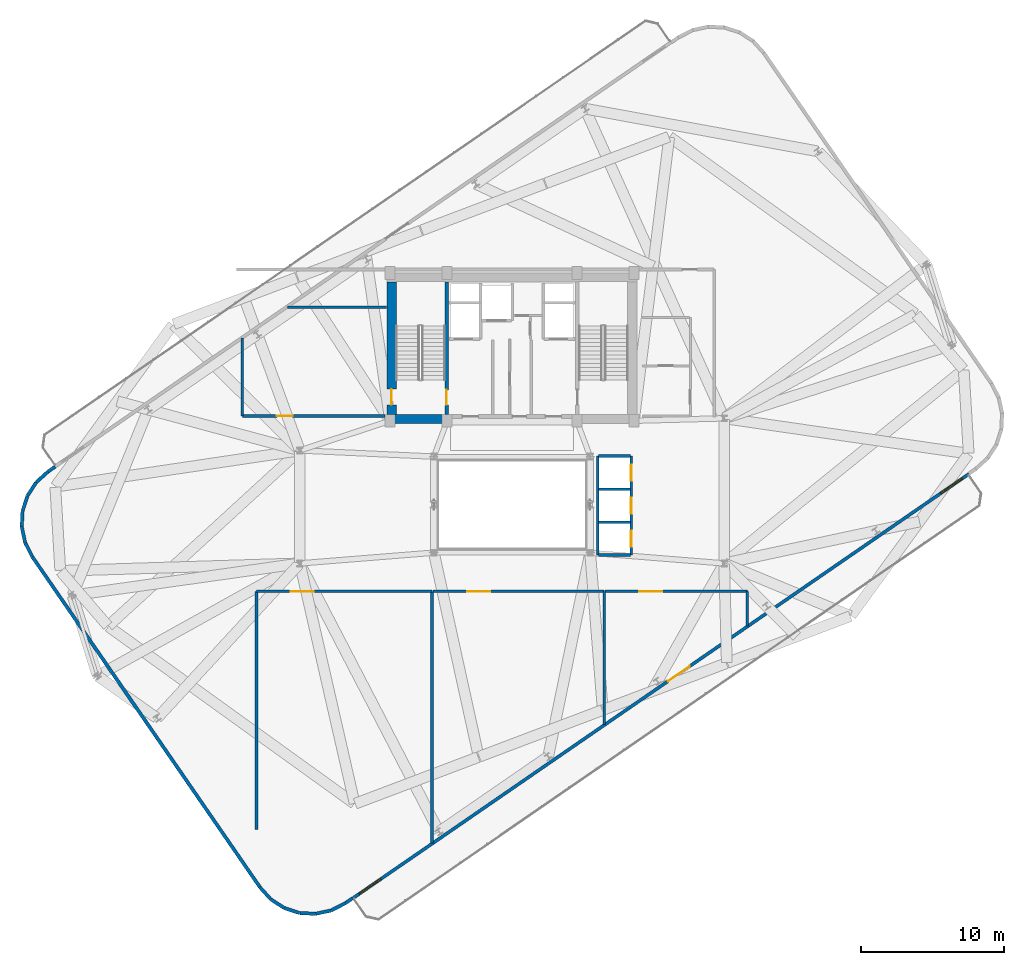
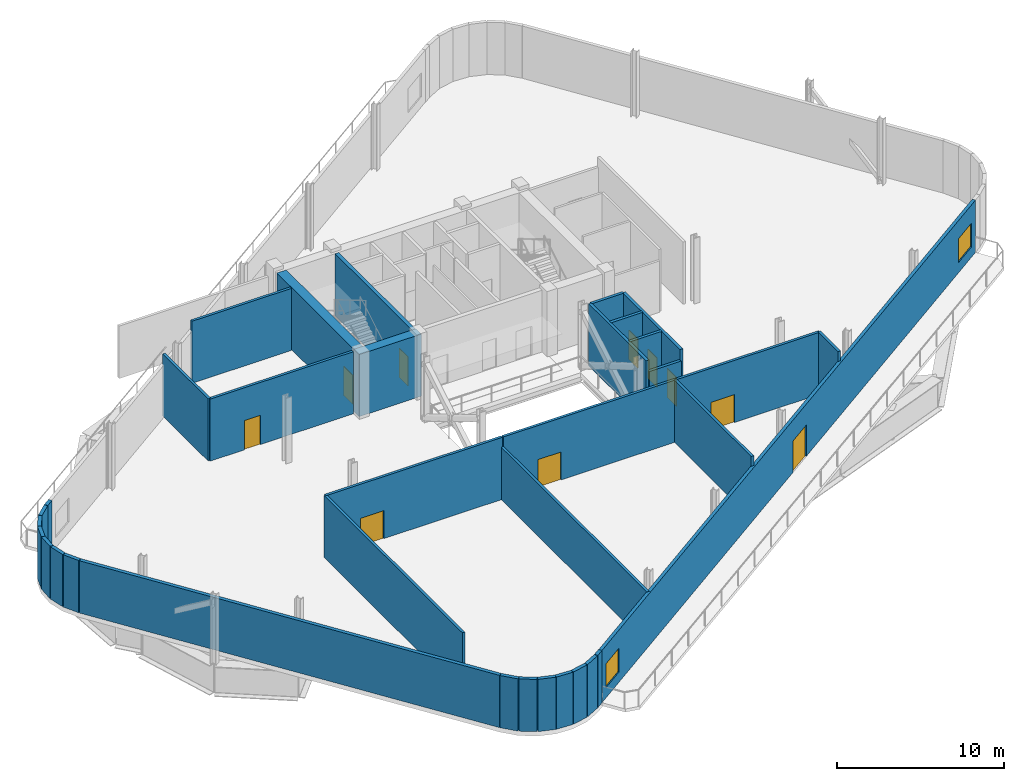
# One storey, part 7 of 13: 35 walls, 10 doors, 2 windows, 12 openings.
"""IFC4 building model written with IfcOpenShell, lengths in metres."""

from ifc_helpers import new_model, si_unit, direction, frame, frame_2d, origin, place, context, subcontext, project, spatial, rectangle, extrude, material, layer, layer_set, type_object, element, fill, save


model = new_model("IFC4")

# Units and contexts
model_context = context("Model", 3, precision=1e-05, world=origin(), true_north=direction((0.0, 1.0)))
body_context = subcontext(model_context, "Body", "Model", "MODEL_VIEW")
ifc_project = project(units=[si_unit("LENGTHUNIT", "METRE"), si_unit("AREAUNIT", "SQUARE_METRE"), si_unit("VOLUMEUNIT", "CUBIC_METRE"), si_unit("PLANEANGLEUNIT", "RADIAN"), si_unit("MASSUNIT", "GRAM", prefix="KILO")], contexts=[model_context])

# Site, building, storey
site_placement = place(None, origin())
site = spatial("IfcSite", under=ifc_project, at=site_placement, CompositionType="ELEMENT")
building_placement = place(site_placement, origin())
building = spatial("IfcBuilding", under=site, at=building_placement, Name="Varnelok Gate Tower", CompositionType="ELEMENT")
storey_placement = place(building_placement, frame((0.0, 0.0, 253.39990234375)))
storey = spatial("IfcBuildingStorey", under=building, at=storey_placement, Name="L65", CompositionType="ELEMENT", Elevation=253.39990234375)

# Wall, openings, door, windows
ifc_material_1 = material(Name="Concrete C45/55", Category="concrete")
ifc_layer_1 = layer(ifc_material_1, 0.219970703125)
ifc_layer_set_1 = layer_set([ifc_layer_1], Name="Concrete C45/55")
wall_type_1 = type_object("IfcWallType", Name="EW-BALC-220", PredefinedType="SOLIDWALL", material=ifc_layer_set_1)
wall_1_placement = place(storey_placement, frame((71.069580078125, 25.043212890625, 0.0), z_axis=(0.0, 0.0, 1.0), x_axis=(-0.82353435434, -0.567266398812, 0.0)))
wall_1 = element("IfcWall", 1, at=wall_1_placement, inside=storey, type_object=wall_type_1, Name="L65 South Terrace Envelope Wall 1", PredefinedType="SOLIDWALL", context=body_context, shape_type="SweptSolid", body=[
    extrude(rectangle(XDim=52.199951171875, YDim=0.219970703125, at=frame_2d((26.10009765625, 0.0))), origin(), (0.0, 0.0, 1.0), 3.830078125),
])
opening_1_placement = place(wall_1_placement, frame((23.640380859375, 0.0, 0.0)))
opening_1 = element("IfcOpeningElement", 2, at=opening_1_placement, cuts=wall_1, Name="Opening SGD-1", PredefinedType="OPENING", context=body_context, shape_type="SweptSolid", body=[
    extrude(rectangle(XDim=1.85009765625, YDim=2.300048828125, at=frame_2d((0.925048828125, 1.14990234375))), frame((0.0, 0.119873046875, 0.0), z_axis=(0.0, -1.0, 0.0), x_axis=(1.0, 0.0, 0.0)), (0.0, 0.0, 1.0), 0.239990234375),
])
opening_2_placement = place(wall_1_placement, frame((0.550048828125, 0.0, 0.75)))
opening_2 = element("IfcOpeningElement", 3, at=opening_2_placement, cuts=wall_1, Name="Opening WN5", PredefinedType="OPENING", context=body_context, shape_type="SweptSolid", body=[
    extrude(rectangle(XDim=1.85009765625, YDim=1.75, at=frame_2d((0.925048828125, 0.875))), frame((0.0, 0.119873046875, 0.0), z_axis=(0.0, -1.0, 0.0), x_axis=(1.0, 0.0, 0.0)), (0.0, 0.0, 1.0), 0.239990234375),
])
opening_3_placement = place(wall_1_placement, frame((49.800048828125, 0.0, 0.75)))
opening_3 = element("IfcOpeningElement", 4, at=opening_3_placement, cuts=wall_1, Name="Opening WN5", PredefinedType="OPENING", context=body_context, shape_type="SweptSolid", body=[
    extrude(rectangle(XDim=1.85009765625, YDim=1.75, at=frame_2d((0.925048828125, 0.875))), frame((0.0, 0.119873046875, 0.0), z_axis=(0.0, -1.0, 0.0), x_axis=(1.0, 0.0, 0.0)), (0.0, 0.0, 1.0), 0.239990234375),
])
ifc_material_2 = material(Name="Anodized Aluminum Alloy 6063-T6", Category="aluminium")
door_type_1 = type_object("IfcDoorType", Name="DR-EXT-SKYG1850", OperationType="DOUBLE_DOOR_SINGLE_SWING", PredefinedType="DOOR", material=ifc_material_2)
door_1_placement = place(opening_1_placement, origin())
door_1 = element("IfcDoor", 5, at=door_1_placement, inside=storey, type_object=door_type_1, Name="L65 South Sky Garden Glazed Door 1", OperationType="DOUBLE_DOOR_SINGLE_SWING", OverallHeight=2.300048828125, OverallWidth=1.85009765625, PredefinedType="DOOR", context=body_context, shape_type="SweptSolid", body=[
    extrude(rectangle(XDim=1.85009765625, YDim=2.300048828125, at=frame_2d((0.925048828125, 1.14990234375))), frame((0.0, 0.02490234375, 0.0), z_axis=(0.0, -1.0, 0.0), x_axis=(1.0, 0.0, 0.0)), (0.0, 0.0, 1.0), 0.050048828125),
])
fill(opening_1, door_1)
ifc_material_3 = material(Name="Low-E Laminated Double Glazing IGU", Category="glass")
window_type = type_object("IfcWindowType", Name="WN-RES-1850", PartitioningType="SINGLE_PANEL", PredefinedType="WINDOW", material=ifc_material_3)
window_1_placement = place(opening_2_placement, origin())
window_1 = element("IfcWindow", 6, at=window_1_placement, inside=storey, type_object=window_type, Name="L65 South Vision Window 1.1", OverallHeight=1.75, OverallWidth=1.85009765625, PartitioningType="SINGLE_PANEL", PredefinedType="WINDOW", context=body_context, shape_type="SweptSolid", body=[
    extrude(rectangle(XDim=1.85009765625, YDim=1.75, at=frame_2d((0.925048828125, 0.875))), frame((0.0, 0.030029296875, 0.0), z_axis=(0.0, -1.0, 0.0), x_axis=(1.0, 0.0, 0.0)), (0.0, 0.0, 1.0), 0.06005859375),
])
fill(opening_2, window_1)
window_2_placement = place(opening_3_placement, origin())
window_2 = element("IfcWindow", 7, at=window_2_placement, inside=storey, type_object=window_type, Name="L65 South Vision Window 1.2", OverallHeight=1.75, OverallWidth=1.85009765625, PartitioningType="SINGLE_PANEL", PredefinedType="WINDOW", context=body_context, shape_type="SweptSolid", body=[
    extrude(rectangle(XDim=1.85009765625, YDim=1.75, at=frame_2d((0.925048828125, 0.875))), frame((0.0, 0.030029296875, 0.0), z_axis=(0.0, -1.0, 0.0), x_axis=(1.0, 0.0, 0.0)), (0.0, 0.0, 1.0), 0.06005859375),
])
fill(opening_3, window_2)

# Walls
ifc_layer_2 = layer(ifc_material_1, 0.239990234375)
ifc_layer_set_2 = layer_set([ifc_layer_2], Name="Concrete C45/55")
wall_type_2 = type_object("IfcWallType", Name="EW-PLANT-240", PredefinedType="SOLIDWALL", material=ifc_layer_set_2)
wall_2_placement = place(storey_placement, frame((21.624267578125, -3.796875, 0.0), z_axis=(0.0, 0.0, 1.0), x_axis=(0.669935347252, -0.74241944378, 0.0)))
element("IfcWall", 8, at=wall_2_placement, inside=storey, type_object=wall_type_2, Name="L65 Perimeter Facade Closure Wall 1", PredefinedType="SOLIDWALL", context=body_context, shape_type="SweptSolid", body=[
    extrude(rectangle(XDim=1.125, YDim=0.239990234375, at=frame_2d((0.5625, 0.0))), origin(), (0.0, 0.0, 1.0), 3.830078125),
])
for number, where, z_axis, x_axis, name in (
    (9, (22.39892578125, -4.645751953125, 0.0), (0.0, 0.0, 1.0), (0.839270122405, -0.543714687717, 0.0), "L65 Perimeter Facade Closure Wall 2"),
    (10, (23.339111328125, -5.247314453125, 0.0), (0.0, 0.0, 1.0), (0.951353957903, -0.308100059692, 0.0), "L65 Perimeter Facade Closure Wall 3"),
    (11, (24.403076171875, -5.5849609375, 0.0), (0.0, 0.0, 1.0), (0.99868854295, -0.051197599359, 0.0), "L65 Perimeter Facade Closure Wall 4"),
):
    element("IfcWall", number, at=place(storey_placement, frame(where, z_axis=z_axis, x_axis=x_axis)), inside=storey, type_object=wall_type_2, Name=name, PredefinedType="SOLIDWALL", context=body_context, shape_type="SweptSolid", body=[
        extrude(rectangle(XDim=1.092041015625, YDim=0.239990234375, at=frame_2d((0.5458984375, 0.0))), origin(), (0.0, 0.0, 1.0), 3.830078125),
    ])
wall_3_placement = place(storey_placement, frame((25.51806640625, -5.6357421875, 0.0), z_axis=(0.0, 0.0, 1.0), x_axis=(0.977916755927, 0.208994780981, 0.0)))
element("IfcWall", 12, at=wall_3_placement, inside=storey, type_object=wall_type_2, Name="L65 Perimeter Facade Closure Wall 5", PredefinedType="SOLIDWALL", context=body_context, shape_type="SweptSolid", body=[
    extrude(rectangle(XDim=1.09228515625, YDim=0.239990234375, at=frame_2d((0.546142578125, 0.0))), origin(), (0.0, 0.0, 1.0), 3.830078125),
])
wall_4_placement = place(storey_placement, frame((26.6083984375, -5.396240234375, 0.0), z_axis=(0.0, 0.0, 1.0), x_axis=(0.89048664568, 0.455009377778, 0.0)))
element("IfcWall", 13, at=wall_4_placement, inside=storey, type_object=wall_type_2, Name="L65 Perimeter Facade Closure Wall 6", PredefinedType="SOLIDWALL", context=body_context, shape_type="SweptSolid", body=[
    extrude(rectangle(XDim=1.099853515625, YDim=0.239990234375, at=frame_2d((0.5498046875, 0.0))), origin(), (0.0, 0.0, 1.0), 3.830078125),
])
wall_5_placement = place(storey_placement, frame((27.6083984375, -4.881591796875, 0.0), z_axis=(0.0, 0.0, 1.0), x_axis=(0.823476316925, 0.567350645953, 0.0)))
element("IfcWall", 14, at=wall_5_placement, inside=storey, type_object=wall_type_2, Name="L65 Perimeter Facade Closure Wall 7", PredefinedType="SOLIDWALL", context=body_context, shape_type="SweptSolid", body=[
    extrude(rectangle(XDim=0.567138671875, YDim=0.239990234375, at=frame_2d((0.28369140625, 0.0))), origin(), (0.0, 0.0, 1.0), 3.830078125),
])
wall_6_placement = place(storey_placement, frame((7.336181640625, 25.548583984375, 0.0), z_axis=(0.0, 0.0, 1.0), x_axis=(-0.823392066686, -0.567472910824, 0.0)))
element("IfcWall", 15, at=wall_6_placement, inside=storey, type_object=wall_type_2, Name="L65 Perimeter Facade Closure Wall 23", PredefinedType="SOLIDWALL", context=body_context, shape_type="SweptSolid", body=[
    extrude(rectangle(XDim=0.592529296875, YDim=0.239990234375, at=frame_2d((0.29638671875, 0.0))), origin(), (0.0, 0.0, 1.0), 3.830078125),
])
wall_7_placement = place(storey_placement, frame((6.829833984375, 25.19580078125, 0.0), z_axis=(0.0, 0.0, 1.0), x_axis=(-0.742465815116, -0.669883955163, 0.0)))
element("IfcWall", 16, at=wall_7_placement, inside=storey, type_object=wall_type_2, Name="L65 Perimeter Facade Closure Wall 24", PredefinedType="SOLIDWALL", context=body_context, shape_type="SweptSolid", body=[
    extrude(rectangle(XDim=1.099853515625, YDim=0.239990234375, at=frame_2d((0.5498046875, 0.0))), origin(), (0.0, 0.0, 1.0), 3.830078125),
])
wall_8_placement = place(storey_placement, frame((5.99951171875, 24.43798828125, 0.0), z_axis=(0.0, 0.0, 1.0), x_axis=(-0.543557184218, -0.839372138854, 0.0)))
element("IfcWall", 17, at=wall_8_placement, inside=storey, type_object=wall_type_2, Name="L65 Perimeter Facade Closure Wall 25", PredefinedType="SOLIDWALL", context=body_context, shape_type="SweptSolid", body=[
    extrude(rectangle(XDim=1.091796875, YDim=0.239990234375, at=frame_2d((0.5458984375, 0.0))), origin(), (0.0, 0.0, 1.0), 3.830078125),
])
wall_9_placement = place(storey_placement, frame((5.398193359375, 23.497802734375, 0.0), z_axis=(0.0, 0.0, 1.0), x_axis=(-0.30803453742, -0.951375175079, 0.0)))
element("IfcWall", 18, at=wall_9_placement, inside=storey, type_object=wall_type_2, Name="L65 Perimeter Facade Closure Wall 26", PredefinedType="SOLIDWALL", context=body_context, shape_type="SweptSolid", body=[
    extrude(rectangle(XDim=1.09228515625, YDim=0.239990234375, at=frame_2d((0.546142578125, 0.0))), origin(), (0.0, 0.0, 1.0), 3.830078125),
])
wall_10_placement = place(storey_placement, frame((5.060546875, 22.433837890625, 0.0), z_axis=(0.0, 0.0, 1.0), x_axis=(-0.051197599359, -0.99868854295, 0.0)))
element("IfcWall", 19, at=wall_10_placement, inside=storey, type_object=wall_type_2, Name="L65 Perimeter Facade Closure Wall 27", PredefinedType="SOLIDWALL", context=body_context, shape_type="SweptSolid", body=[
    extrude(rectangle(XDim=1.092041015625, YDim=0.239990234375, at=frame_2d((0.5458984375, 0.0))), origin(), (0.0, 0.0, 1.0), 3.830078125),
])
wall_11_placement = place(storey_placement, frame((5.009765625, 21.31884765625, 0.0), z_axis=(0.0, 0.0, 1.0), x_axis=(0.208781005433, -0.977962418383, 0.0)))
element("IfcWall", 20, at=wall_11_placement, inside=storey, type_object=wall_type_2, Name="L65 Perimeter Facade Closure Wall 28", PredefinedType="SOLIDWALL", context=body_context, shape_type="SweptSolid", body=[
    extrude(rectangle(XDim=1.09228515625, YDim=0.239990234375, at=frame_2d((0.546142578125, 0.0))), origin(), (0.0, 0.0, 1.0), 3.830078125),
])
wall_12_placement = place(storey_placement, frame((5.249267578125, 20.228515625, 0.0), z_axis=(0.0, 0.0, 1.0), x_axis=(0.455009377778, -0.89048664568, 0.0)))
element("IfcWall", 21, at=wall_12_placement, inside=storey, type_object=wall_type_2, Name="L65 Perimeter Facade Closure Wall 29", PredefinedType="SOLIDWALL", context=body_context, shape_type="SweptSolid", body=[
    extrude(rectangle(XDim=1.099853515625, YDim=0.239990234375, at=frame_2d((0.5498046875, 0.0))), origin(), (0.0, 0.0, 1.0), 3.830078125),
])
wall_13_placement = place(storey_placement, frame((5.763916015625, 19.228515625, 0.0), z_axis=(0.0, 0.0, 1.0), x_axis=(0.567265985498, -0.823534639039, 0.0)))
element("IfcWall", 22, at=wall_13_placement, inside=storey, type_object=wall_type_2, Name="L65 Perimeter Facade Closure Wall 30", PredefinedType="SOLIDWALL", context=body_context, shape_type="SweptSolid", body=[
    extrude(rectangle(XDim=27.934326171875, YDim=0.239990234375, at=frame_2d((13.96728515625, 0.0))), origin(), (0.0, 0.0, 1.0), 3.830078125),
])

# Wall, opening, door
ifc_material_4 = material(Name="Gypsum Plasterboard Acoustic Partition", Category="gypsum")
ifc_layer_3 = layer(ifc_material_4, 0.179931640625)
ifc_layer_set_3 = layer_set([ifc_layer_3], Name="Gypsum Plasterboard Acoustic Partition")
wall_type_3 = type_object("IfcWallType", Name="PW-CORR-180", PredefinedType="PARTITIONING", material=ifc_layer_set_3)
wall_14_placement = place(storey_placement, frame((20.39990234375, 29.080078125, 0.0), z_axis=(0.0, 0.0, 1.0), x_axis=(1.0, 0.0, 0.0)))
wall_14 = element("IfcWall", 23, at=wall_14_placement, inside=storey, type_object=wall_type_3, Name="Interior Partition", PredefinedType="PARTITIONING", context=body_context, shape_type="SweptSolid", body=[
    extrude(rectangle(XDim=9.9501953125, YDim=0.179931640625, at=frame_2d((4.97509765625, 0.0))), origin(), (0.0, 0.0, 1.0), 4.550048828125),
])
opening_4_placement = place(wall_14_placement, frame((2.39990234375, 0.0, 0.0)))
opening_4 = element("IfcOpeningElement", 24, at=opening_4_placement, cuts=wall_14, Name="Opening D-FF", PredefinedType="OPENING", context=body_context, shape_type="SweptSolid", body=[
    extrude(rectangle(XDim=1.10009765625, YDim=2.14990234375, at=frame_2d((0.550048828125, 1.074951171875))), frame((0.0, 0.099853515625, 0.0), z_axis=(0.0, -1.0, 0.0), x_axis=(1.0, 0.0, 0.0)), (0.0, 0.0, 1.0), 0.199951171875),
])
ifc_material_5 = material(Name="Galvanized Steel Grade S350GD", Category="steel")
door_type_2 = type_object("IfcDoorType", Name="DR-FFLOB-1100", OperationType="NOTDEFINED", PredefinedType="DOOR", material=ifc_material_5)
door_2_placement = place(opening_4_placement, origin())
door_2 = element("IfcDoor", 25, at=door_2_placement, inside=storey, type_object=door_type_2, Name="L65 Area of Refuge Lobby Fire Door", OperationType="SINGLE_SWING_LEFT", OverallHeight=2.14990234375, OverallWidth=1.10009765625, PredefinedType="DOOR", context=body_context, shape_type="SweptSolid", body=[
    extrude(rectangle(XDim=1.10009765625, YDim=2.14990234375, at=frame_2d((0.550048828125, 1.074951171875))), frame((0.0, 0.02490234375, 0.0), z_axis=(0.0, -1.0, 0.0), x_axis=(1.0, 0.0, 0.0)), (0.0, 0.0, 1.0), 0.050048828125),
])
fill(opening_4, door_2)

# Walls
wall_15_placement = place(storey_placement, frame((20.39990234375, 29.080078125, 0.0), z_axis=(0.0, 0.0, 1.0), x_axis=(0.0, 1.0, 0.0)))
element("IfcWall", 26, at=wall_15_placement, inside=storey, type_object=wall_type_3, Name="Interior Partition", PredefinedType="PARTITIONING", context=body_context, shape_type="SweptSolid", body=[
    extrude(rectangle(XDim=5.44287109375, YDim=0.179931640625, at=frame_2d((2.721435546875, 0.0))), origin(), (0.0, 0.0, 1.0), 4.550048828125),
])
wall_16_placement = place(storey_placement, frame((23.531494140625, 36.679931640625, 0.0), z_axis=(0.0, 0.0, 1.0), x_axis=(1.0, 0.0, 0.0)))
element("IfcWall", 27, at=wall_16_placement, inside=storey, type_object=wall_type_3, Name="Interior Partition", PredefinedType="PARTITIONING", context=body_context, shape_type="SweptSolid", body=[
    extrude(rectangle(XDim=6.8984375, YDim=0.179931640625, at=frame_2d((3.44921875, 0.0))), origin(), (0.0, 0.0, 1.0), 4.550048828125),
])

# Wall, opening, door
wall_17_placement = place(storey_placement, frame((21.3798828125, 16.85009765625, 0.0), z_axis=(0.0, 0.0, 1.0), x_axis=(1.0, 0.0, 0.0)))
wall_17 = element("IfcWall", 28, at=wall_17_placement, inside=storey, type_object=wall_type_3, Name="Interior Partition", PredefinedType="PARTITIONING", context=body_context, shape_type="SweptSolid", body=[
    extrude(rectangle(XDim=12.240234375, YDim=0.179931640625, at=frame_2d((6.1201171875, 0.0))), origin(), (0.0, 0.0, 1.0), 4.550048828125),
])
opening_5_placement = place(wall_17_placement, frame((2.39990234375, 0.0, 0.0)))
opening_5 = element("IfcOpeningElement", 29, at=opening_5_placement, cuts=wall_17, Name="Opening D-PL", PredefinedType="OPENING", context=body_context, shape_type="SweptSolid", body=[
    extrude(rectangle(XDim=1.60009765625, YDim=2.050048828125, at=frame_2d((0.800048828125, 1.02490234375))), frame((0.0, 0.099853515625, 0.0), z_axis=(0.0, -1.0, 0.0), x_axis=(1.0, 0.0, 0.0)), (0.0, 0.0, 1.0), 0.199951171875),
])
door_type_3 = type_object("IfcDoorType", Name="DR-PLANT-1600", OperationType="DOUBLE_DOOR_SINGLE_SWING", PredefinedType="DOOR", material=ifc_material_5)
door_3_placement = place(opening_5_placement, origin())
door_3 = element("IfcDoor", 30, at=door_3_placement, inside=storey, type_object=door_type_3, Name="L65 Mechanical Plant Bay 1 Double Door", OperationType="DOUBLE_DOOR_SINGLE_SWING", OverallHeight=2.050048828125, OverallWidth=1.60009765625, PredefinedType="DOOR", context=body_context, shape_type="SweptSolid", body=[
    extrude(rectangle(XDim=1.60009765625, YDim=2.050048828125, at=frame_2d((0.800048828125, 1.02490234375))), frame((0.0, 0.02490234375, 0.0), z_axis=(0.0, -1.0, 0.0), x_axis=(1.0, 0.0, 0.0)), (0.0, 0.0, 1.0), 0.050048828125),
])
fill(opening_5, door_3)

# Walls
wall_18_placement = place(storey_placement, frame((33.6201171875, -0.712890625, 0.0), z_axis=(0.0, 0.0, 1.0), x_axis=(0.0, 1.0, 0.0)))
element("IfcWall", 31, at=wall_18_placement, inside=storey, type_object=wall_type_3, Name="Interior Partition", PredefinedType="PARTITIONING", context=body_context, shape_type="SweptSolid", body=[
    extrude(rectangle(XDim=17.56298828125, YDim=0.179931640625, at=frame_2d((8.781494140625, 0.0))), origin(), (0.0, 0.0, 1.0), 3.839111328125),
])
wall_19_placement = place(storey_placement, frame((21.3798828125, 0.25, 0.0), z_axis=(0.0, 0.0, 1.0), x_axis=(0.0, 1.0, 0.0)))
element("IfcWall", 32, at=wall_19_placement, inside=storey, type_object=wall_type_3, Name="Interior Partition", PredefinedType="PARTITIONING", context=body_context, shape_type="SweptSolid", body=[
    extrude(rectangle(XDim=16.60009765625, YDim=0.179931640625, at=frame_2d((8.300048828125, 0.0))), origin(), (0.0, 0.0, 1.0), 4.550048828125),
])

# Wall, opening, door
wall_20_placement = place(storey_placement, frame((33.679931640625, 16.85009765625, 0.0), z_axis=(0.0, 0.0, 1.0), x_axis=(1.0, 0.0, 0.0)))
wall_20 = element("IfcWall", 33, at=wall_20_placement, inside=storey, type_object=wall_type_3, Name="Interior Partition", PredefinedType="PARTITIONING", context=body_context, shape_type="SweptSolid", body=[
    extrude(rectangle(XDim=11.940185546875, YDim=0.179931640625, at=frame_2d((5.97021484375, 0.0))), origin(), (0.0, 0.0, 1.0), 4.550048828125),
])
opening_6_placement = place(wall_20_placement, frame((2.39990234375, 0.0, 0.0)))
opening_6 = element("IfcOpeningElement", 34, at=opening_6_placement, cuts=wall_20, Name="Opening D-PL", PredefinedType="OPENING", context=body_context, shape_type="SweptSolid", body=[
    extrude(rectangle(XDim=1.60009765625, YDim=2.050048828125, at=frame_2d((0.800048828125, 1.02490234375))), frame((0.0, 0.099853515625, 0.0), z_axis=(0.0, -1.0, 0.0), x_axis=(1.0, 0.0, 0.0)), (0.0, 0.0, 1.0), 0.199951171875),
])
door_4_placement = place(opening_6_placement, origin())
door_4 = element("IfcDoor", 35, at=door_4_placement, inside=storey, type_object=door_type_3, Name="L65 Mechanical Plant Bay 2 Double Door", OperationType="DOUBLE_DOOR_SINGLE_SWING", OverallHeight=2.050048828125, OverallWidth=1.60009765625, PredefinedType="DOOR", context=body_context, shape_type="SweptSolid", body=[
    extrude(rectangle(XDim=1.60009765625, YDim=2.050048828125, at=frame_2d((0.800048828125, 1.02490234375))), frame((0.0, 0.02490234375, 0.0), z_axis=(0.0, -1.0, 0.0), x_axis=(1.0, 0.0, 0.0)), (0.0, 0.0, 1.0), 0.050048828125),
])
fill(opening_6, door_4)

# Wall
wall_21_placement = place(storey_placement, frame((45.6201171875, 7.549560546875, 0.0), z_axis=(0.0, 0.0, 1.0), x_axis=(0.0, 1.0, 0.0)))
element("IfcWall", 36, at=wall_21_placement, inside=storey, type_object=wall_type_3, Name="Interior Partition", PredefinedType="PARTITIONING", context=body_context, shape_type="SweptSolid", body=[
    extrude(rectangle(XDim=9.300537109375, YDim=0.179931640625, at=frame_2d((4.650390625, 0.0))), origin(), (0.0, 0.0, 1.0), 4.550048828125),
])

# Wall, opening, door
wall_22_placement = place(storey_placement, frame((45.679931640625, 16.85009765625, 0.0), z_axis=(0.0, 0.0, 1.0), x_axis=(1.0, 0.0, 0.0)))
wall_22 = element("IfcWall", 37, at=wall_22_placement, inside=storey, type_object=wall_type_3, Name="Interior Partition", PredefinedType="PARTITIONING", context=body_context, shape_type="SweptSolid", body=[
    extrude(rectangle(XDim=9.940185546875, YDim=0.179931640625, at=frame_2d((4.97021484375, 0.0))), origin(), (0.0, 0.0, 1.0), 4.550048828125),
])
opening_7_placement = place(wall_22_placement, frame((2.39990234375, 0.0, 0.0)))
opening_7 = element("IfcOpeningElement", 38, at=opening_7_placement, cuts=wall_22, Name="Opening D-PL", PredefinedType="OPENING", context=body_context, shape_type="SweptSolid", body=[
    extrude(rectangle(XDim=1.60009765625, YDim=2.050048828125, at=frame_2d((0.800048828125, 1.02490234375))), frame((0.0, 0.099853515625, 0.0), z_axis=(0.0, -1.0, 0.0), x_axis=(1.0, 0.0, 0.0)), (0.0, 0.0, 1.0), 0.199951171875),
])
door_5_placement = place(opening_7_placement, origin())
door_5 = element("IfcDoor", 39, at=door_5_placement, inside=storey, type_object=door_type_3, Name="L65 Mechanical Plant Bay 3 Double Door", OperationType="DOUBLE_DOOR_SINGLE_SWING", OverallHeight=2.050048828125, OverallWidth=1.60009765625, PredefinedType="DOOR", context=body_context, shape_type="SweptSolid", body=[
    extrude(rectangle(XDim=1.60009765625, YDim=2.050048828125, at=frame_2d((0.800048828125, 1.02490234375))), frame((0.0, 0.02490234375, 0.0), z_axis=(0.0, -1.0, 0.0), x_axis=(1.0, 0.0, 0.0)), (0.0, 0.0, 1.0), 0.050048828125),
])
fill(opening_7, door_5)

# Walls
wall_23_placement = place(storey_placement, frame((55.6201171875, 14.437744140625, 0.0), z_axis=(0.0, 0.0, 1.0), x_axis=(0.0, 1.0, 0.0)))
element("IfcWall", 40, at=wall_23_placement, inside=storey, type_object=wall_type_3, Name="Interior Partition", PredefinedType="PARTITIONING", context=body_context, shape_type="SweptSolid", body=[
    extrude(rectangle(XDim=2.412353515625, YDim=0.179931640625, at=frame_2d((1.2060546875, 0.0))), origin(), (0.0, 0.0, 1.0), 4.550048828125),
])
ifc_material_6 = material(Name="Concrete C35/45", Category="concrete")
ifc_layer_4 = layer(ifc_material_6, 0.199951171875)
ifc_layer_set_4 = layer_set([ifc_layer_4], Name="Concrete C35/45")
wall_type_4 = type_object("IfcWallType", Name="PW-SHAFT-200", PredefinedType="PARTITIONING", material=ifc_layer_set_4)
for number, where, z_axis, x_axis, name in (
    (41, (45.239990234375, 21.675048828125, 0.0), (0.0, 0.0, 1.0), (1.0, 0.0, 0.0), "L65 PH1 Divider"),
    (42, (45.239990234375, 23.97509765625, 0.0), (0.0, 0.0, 1.0), (1.0, 0.0, 0.0), "L65 PH2 Divider"),
):
    element("IfcWall", number, at=place(storey_placement, frame(where, z_axis=z_axis, x_axis=x_axis)), inside=storey, type_object=wall_type_4, Name=name, PredefinedType="PARTITIONING", context=body_context, shape_type="SweptSolid", body=[
        extrude(rectangle(XDim=2.219970703125, YDim=0.199951171875, at=frame_2d((1.10986328125, 0.0))), origin(), (0.0, 0.0, 1.0), 4.550048828125),
    ])
wall_24_placement = place(storey_placement, frame((45.239990234375, 19.3798828125, 0.0), z_axis=(0.0, 0.0, 1.0), x_axis=(1.0, 0.0, 0.0)))
element("IfcWall", 43, at=wall_24_placement, inside=storey, type_object=wall_type_4, Name="L65 PH Bank South Wall", PredefinedType="PARTITIONING", context=body_context, shape_type="SweptSolid", body=[
    extrude(rectangle(XDim=2.219970703125, YDim=0.199951171875, at=frame_2d((1.10986328125, 0.0))), origin(), (0.0, 0.0, 1.0), 3.76220703125),
])
wall_25_placement = place(storey_placement, frame((45.239990234375, 26.280029296875, 0.0), z_axis=(0.0, 0.0, 1.0), x_axis=(1.0, 0.0, 0.0)))
element("IfcWall", 44, at=wall_25_placement, inside=storey, type_object=wall_type_4, Name="L65 PH Bank North Wall", PredefinedType="PARTITIONING", context=body_context, shape_type="SweptSolid", body=[
    extrude(rectangle(XDim=2.219970703125, YDim=0.199951171875, at=frame_2d((1.10986328125, 0.0))), origin(), (0.0, 0.0, 1.0), 4.550048828125),
])
wall_26_placement = place(storey_placement, frame((45.179931640625, 19.3798828125, 0.0), z_axis=(0.0, 0.0, 1.0), x_axis=(0.0, 1.0, 0.0)))
element("IfcWall", 45, at=wall_26_placement, inside=storey, type_object=wall_type_4, Name="L65 PH Bank Atrium Wall", PredefinedType="PARTITIONING", context=body_context, shape_type="SweptSolid", body=[
    extrude(rectangle(XDim=6.900146484375, YDim=0.199951171875, at=frame_2d((3.4501953125, 0.0))), origin(), (0.0, 0.0, 1.0), 4.550048828125),
])

# Wall, openings, doors
wall_27_placement = place(storey_placement, frame((47.52001953125, 19.3798828125, 0.0), z_axis=(0.0, 0.0, 1.0), x_axis=(0.0, 1.0, 0.0)))
wall_27 = element("IfcWall", 46, at=wall_27_placement, inside=storey, type_object=wall_type_4, Name="L65 PH Bank Front Wall", PredefinedType="PARTITIONING", context=body_context, shape_type="SweptSolid", body=[
    extrude(rectangle(XDim=6.900146484375, YDim=0.199951171875, at=frame_2d((3.4501953125, 0.0))), origin(), (0.0, 0.0, 1.0), 4.550048828125),
])
opening_8_placement = place(wall_27_placement, frame((0.590087890625, 0.0, 0.0)))
opening_8 = element("IfcOpeningElement", 47, at=opening_8_placement, cuts=wall_27, Name="Opening LD-PH1", PredefinedType="OPENING", context=body_context, shape_type="SweptSolid", body=[
    extrude(rectangle(XDim=1.10009765625, YDim=2.14990234375, at=frame_2d((0.550048828125, 1.074951171875))), frame((0.0, 0.10986328125, 0.0), z_axis=(0.0, -1.0, 0.0), x_axis=(1.0, 0.0, 0.0)), (0.0, 0.0, 1.0), 0.219970703125),
])
opening_9_placement = place(wall_27_placement, frame((2.889892578125, 0.0, 0.0)))
opening_9 = element("IfcOpeningElement", 48, at=opening_9_placement, cuts=wall_27, Name="Opening LD-PH2", PredefinedType="OPENING", context=body_context, shape_type="SweptSolid", body=[
    extrude(rectangle(XDim=1.10009765625, YDim=2.14990234375, at=frame_2d((0.550048828125, 1.074951171875))), frame((0.0, 0.10986328125, 0.0), z_axis=(0.0, -1.0, 0.0), x_axis=(1.0, 0.0, 0.0)), (0.0, 0.0, 1.0), 0.219970703125),
])
opening_10_placement = place(wall_27_placement, frame((5.18994140625, 0.0, 0.0)))
opening_10 = element("IfcOpeningElement", 49, at=opening_10_placement, cuts=wall_27, Name="Opening LD-PH3", PredefinedType="OPENING", context=body_context, shape_type="SweptSolid", body=[
    extrude(rectangle(XDim=1.10009765625, YDim=2.14990234375, at=frame_2d((0.550048828125, 1.074951171875))), frame((0.0, 0.10986328125, 0.0), z_axis=(0.0, -1.0, 0.0), x_axis=(1.0, 0.0, 0.0)), (0.0, 0.0, 1.0), 0.219970703125),
])
door_type_4 = type_object("IfcDoorType", Name="DR-LIFT-PAX1100", OperationType="SLIDING_TO_LEFT", PredefinedType="DOOR", material=ifc_material_5)
door_6_placement = place(opening_8_placement, origin())
door_6 = element("IfcDoor", 50, at=door_6_placement, inside=storey, type_object=door_type_4, Name="L65 Passenger Lift Landing Door LD-PH1", OperationType="SLIDING_TO_LEFT", OverallHeight=2.14990234375, OverallWidth=1.10009765625, PredefinedType="DOOR", context=body_context, shape_type="SweptSolid", body=[
    extrude(rectangle(XDim=1.10009765625, YDim=2.14990234375, at=frame_2d((0.550048828125, 1.074951171875))), frame((0.0, 0.02490234375, 0.0), z_axis=(0.0, -1.0, 0.0), x_axis=(1.0, 0.0, 0.0)), (0.0, 0.0, 1.0), 0.050048828125),
])
fill(opening_8, door_6)
door_7_placement = place(opening_9_placement, origin())
door_7 = element("IfcDoor", 51, at=door_7_placement, inside=storey, type_object=door_type_4, Name="L65 Passenger Lift Landing Door LD-PH2", OperationType="SLIDING_TO_LEFT", OverallHeight=2.14990234375, OverallWidth=1.10009765625, PredefinedType="DOOR", context=body_context, shape_type="SweptSolid", body=[
    extrude(rectangle(XDim=1.10009765625, YDim=2.14990234375, at=frame_2d((0.550048828125, 1.074951171875))), frame((0.0, 0.02490234375, 0.0), z_axis=(0.0, -1.0, 0.0), x_axis=(1.0, 0.0, 0.0)), (0.0, 0.0, 1.0), 0.050048828125),
])
fill(opening_9, door_7)
door_8_placement = place(opening_10_placement, origin())
door_8 = element("IfcDoor", 52, at=door_8_placement, inside=storey, type_object=door_type_4, Name="L65 Passenger Lift Landing Door LD-PH3", OperationType="SLIDING_TO_LEFT", OverallHeight=2.14990234375, OverallWidth=1.10009765625, PredefinedType="DOOR", context=body_context, shape_type="SweptSolid", body=[
    extrude(rectangle(XDim=1.10009765625, YDim=2.14990234375, at=frame_2d((0.550048828125, 1.074951171875))), frame((0.0, 0.02490234375, 0.0), z_axis=(0.0, -1.0, 0.0), x_axis=(1.0, 0.0, 0.0)), (0.0, 0.0, 1.0), 0.050048828125),
])
fill(opening_10, door_8)

# Wall, opening, door
ifc_material_7 = material(Name="Concrete C60/75", Category="concrete")
ifc_layer_5 = layer(ifc_material_7, 0.64990234375)
ifc_layer_set_5 = layer_set([ifc_layer_5], Name="Concrete C60/75")
wall_type_5 = type_object("IfcWallType", Name="SW-CORE-650", PredefinedType="SHEAR", material=ifc_layer_set_5)
wall_28_placement = place(storey_placement, frame((30.804931640625, 29.199951171875, 0.0), z_axis=(0.0, 0.0, 1.0), x_axis=(0.0, 1.0, 0.0)))
wall_28 = element("IfcWall", 53, at=wall_28_placement, inside=storey, type_object=wall_type_5, Name="L65 Rear Core West Shear Wall", PredefinedType="SHEAR", context=body_context, shape_type="SweptSolid", body=[
    extrude(rectangle(XDim=9.219970703125, YDim=0.64990234375, at=frame_2d((4.60986328125, 0.0))), origin(), (0.0, 0.0, 1.0), 4.550048828125),
])
opening_11_placement = place(wall_28_placement, frame((0.64990234375, 0.0, 0.0)))
opening_11 = element("IfcOpeningElement", 54, at=opening_11_placement, cuts=wall_28, Name="Opening D-FF", PredefinedType="OPENING", context=body_context, shape_type="SweptSolid", body=[
    extrude(rectangle(XDim=1.10009765625, YDim=2.14990234375, at=frame_2d((0.550048828125, 1.074951171875))), frame((0.0, 0.3349609375, 0.0), z_axis=(0.0, -1.0, 0.0), x_axis=(1.0, 0.0, 0.0)), (0.0, 0.0, 1.0), 0.669921875),
])
door_9_placement = place(opening_11_placement, origin())
door_9 = element("IfcDoor", 55, at=door_9_placement, inside=storey, type_object=door_type_2, Name="L65 Area of Refuge Stair ST-1 Fire Door", OperationType="SINGLE_SWING_RIGHT", OverallHeight=2.14990234375, OverallWidth=1.10009765625, PredefinedType="DOOR", context=body_context, shape_type="SweptSolid", body=[
    extrude(rectangle(XDim=1.10009765625, YDim=2.14990234375, at=frame_2d((0.550048828125, 1.074951171875))), frame((0.0, 0.02490234375, 0.0), z_axis=(0.0, -1.0, 0.0), x_axis=(1.0, 0.0, 0.0)), (0.0, 0.0, 1.0), 0.050048828125),
])
fill(opening_11, door_9)

# Wall
wall_29_placement = place(storey_placement, frame((30.47998046875, 28.875, 0.0), z_axis=(0.0, 0.0, 1.0), x_axis=(1.0, 0.0, 0.0)))
element("IfcWall", 56, at=wall_29_placement, inside=storey, type_object=wall_type_5, Name="L65 Rear Core South-West Shear Wall", PredefinedType="SHEAR", context=body_context, shape_type="SweptSolid", body=[
    extrude(rectangle(XDim=4.320068359375, YDim=0.64990234375, at=frame_2d((2.16015625, 0.0))), origin(), (0.0, 0.0, 1.0), 4.550048828125),
])

# Wall, opening, door
ifc_layer_6 = layer(ifc_material_7, 0.25)
ifc_layer_set_6 = layer_set([ifc_layer_6], Name="Concrete C60/75")
wall_type_6 = type_object("IfcWallType", Name="SW-SHAFT-250", PredefinedType="SHEAR", material=ifc_layer_set_6)
wall_30_placement = place(storey_placement, frame((34.639892578125, 29.199951171875, 0.0), z_axis=(0.0, 0.0, 1.0), x_axis=(0.0, 1.0, 0.0)))
wall_30 = element("IfcWall", 57, at=wall_30_placement, inside=storey, type_object=wall_type_6, Name="L65 Stair ST-1 East Shear Wall", PredefinedType="SHEAR", context=body_context, shape_type="SweptSolid", body=[
    extrude(rectangle(XDim=9.219970703125, YDim=0.25, at=frame_2d((4.60986328125, 0.0))), origin(), (0.0, 0.0, 1.0), 4.550048828125),
])
opening_12_placement = place(wall_30_placement, frame((0.64990234375, 0.0, 0.0)))
opening_12 = element("IfcOpeningElement", 58, at=opening_12_placement, cuts=wall_30, Name="Opening D-ST", PredefinedType="OPENING", context=body_context, shape_type="SweptSolid", body=[
    extrude(rectangle(XDim=1.050048828125, YDim=2.14990234375, at=frame_2d((0.52490234375, 1.074951171875))), frame((0.0, 0.135009765625, 0.0), z_axis=(0.0, -1.0, 0.0), x_axis=(1.0, 0.0, 0.0)), (0.0, 0.0, 1.0), 0.27001953125),
])
door_type_5 = type_object("IfcDoorType", Name="DR-STAIR-1050", OperationType="NOTDEFINED", PredefinedType="DOOR", material=ifc_material_5)
door_10_placement = place(opening_12_placement, origin())
door_10 = element("IfcDoor", 59, at=door_10_placement, inside=storey, type_object=door_type_5, Name="L65 Exit Stair ST-1 Fire Door", OperationType="SINGLE_SWING_LEFT", OverallHeight=2.14990234375, OverallWidth=1.050048828125, PredefinedType="DOOR", context=body_context, shape_type="SweptSolid", body=[
    extrude(rectangle(XDim=1.050048828125, YDim=2.14990234375, at=frame_2d((0.52490234375, 1.074951171875))), frame((0.0, 0.02490234375, 0.0), z_axis=(0.0, -1.0, 0.0), x_axis=(1.0, 0.0, 0.0)), (0.0, 0.0, 1.0), 0.050048828125),
])
fill(opening_12, door_10)

save(model, "model.ifc")
